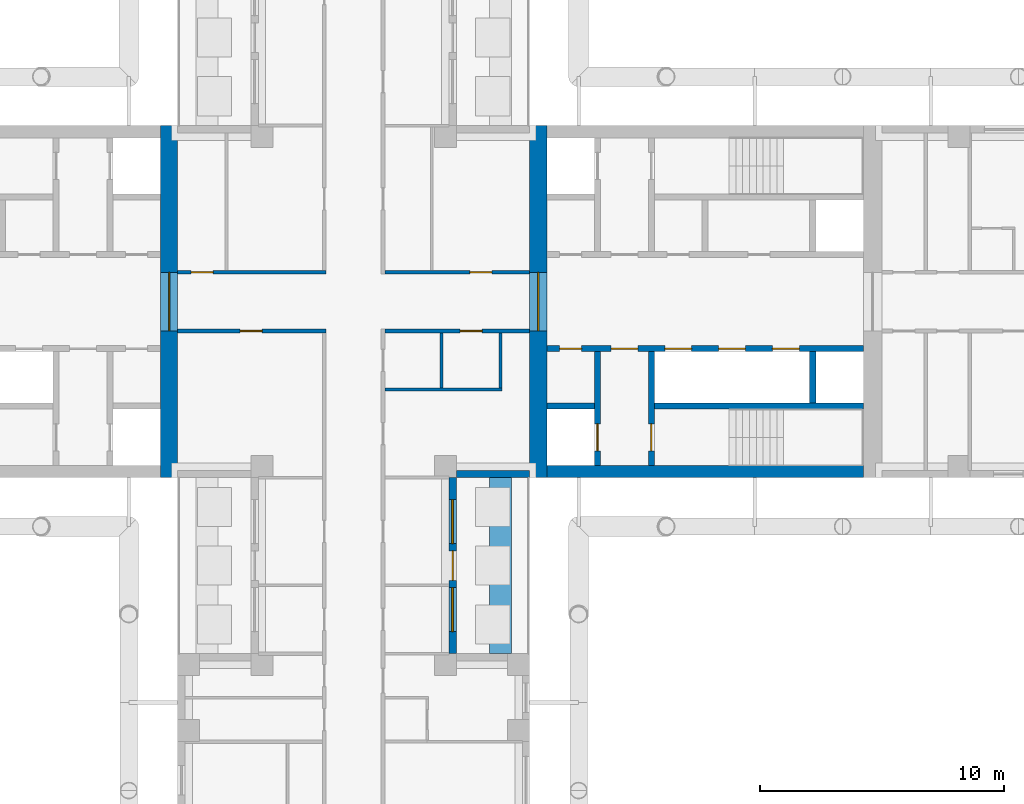
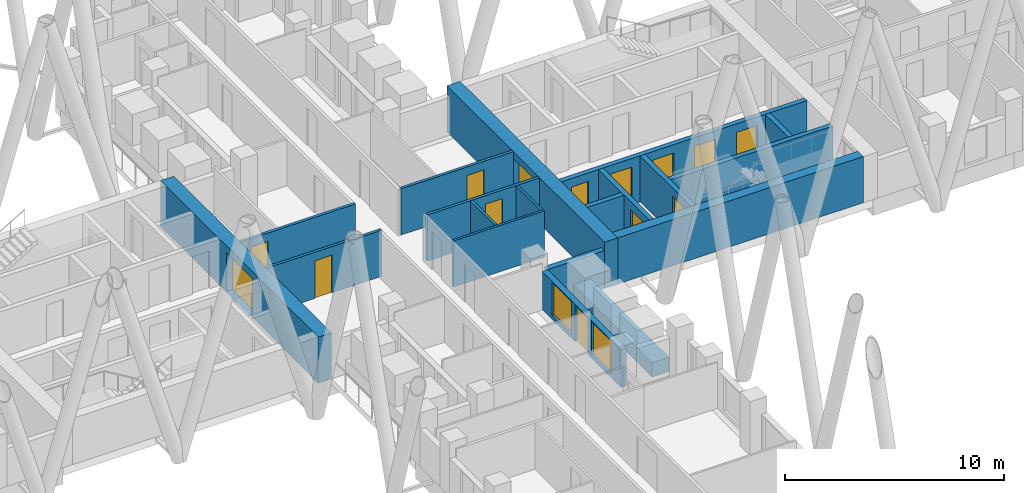
# One storey, part 7 of 14: 19 walls, 14 doors, 2 windows, 16 openings.
"""IFC4 building model written with IfcOpenShell, lengths in metres."""

from ifc_helpers import new_model, si_unit, direction, frame, frame_2d, origin, place, context, subcontext, project, spatial, rectangle, extrude, material, layer, layer_set, type_object, element, fill, save


model = new_model("IFC4")

# Units and contexts
model_context = context("Model", 3, precision=1e-05, world=origin(), true_north=direction((0.0, 1.0)))
body_context = subcontext(model_context, "Body", "Model", "MODEL_VIEW")
ifc_project = project(units=[si_unit("LENGTHUNIT", "METRE"), si_unit("AREAUNIT", "SQUARE_METRE"), si_unit("VOLUMEUNIT", "CUBIC_METRE"), si_unit("PLANEANGLEUNIT", "RADIAN"), si_unit("MASSUNIT", "GRAM", prefix="KILO")], contexts=[model_context])

# Site, building, storey
site_placement = place(None, origin())
site = spatial("IfcSite", under=ifc_project, at=site_placement, CompositionType="ELEMENT")
building_placement = place(site_placement, origin())
building = spatial("IfcBuilding", under=site, at=building_placement, Name="Fustian Cross Tower", CompositionType="ELEMENT")
storey_placement = place(building_placement, frame((0.0, 0.0, 78.89990234375)))
storey = spatial("IfcBuildingStorey", under=building, at=storey_placement, Name="L24", CompositionType="ELEMENT", Elevation=78.89990234375)

# Wall, opening, door
ifc_material_1 = material(Name="Plasterboard on steel stud", Category="steel")
ifc_layer_1 = layer(ifc_material_1, 0.14990234375)
ifc_layer_set_1 = layer_set([ifc_layer_1], Name="Plasterboard on steel stud")
wall_type_1 = type_object("IfcWallType", Name="COMPARTMENT WALL 150 EI 60", PredefinedType="PARTITIONING", material=ifc_layer_set_1)
wall_1_placement = place(storey_placement, frame((-7.199951171875, -1.199951171875, 0.0), z_axis=(0.0, 0.0, 1.0), x_axis=(1.0, 0.0, 0.0)))
wall_1 = element("IfcWall", 1, at=wall_1_placement, inside=storey, type_object=wall_type_1, Name="Partition 11", PredefinedType="PARTITIONING", context=body_context, shape_type="SweptSolid", body=[
    extrude(rectangle(XDim=6.074951171875, YDim=0.14990234375, at=frame_2d((3.03759765625, 0.0))), origin(), (0.0, 0.0, 1.0), 2.5751953125),
])
opening_1_placement = place(wall_1_placement, frame((2.550048828125, 0.0, 0.0)))
opening_1 = element("IfcOpeningElement", 2, at=opening_1_placement, cuts=wall_1, Name="Opening D12008", PredefinedType="OPENING", context=body_context, shape_type="SweptSolid", body=[
    extrude(rectangle(XDim=0.89990234375, YDim=2.10009765625, at=frame_2d((0.449951171875, 1.050048828125))), frame((0.0, 0.0849609375, 0.0), z_axis=(0.0, -1.0, 0.0), x_axis=(1.0, 0.0, 0.0)), (0.0, 0.0, 1.0), 0.169921875),
])
ifc_material_2 = material(Name="Timber fire door set", Category="wood")
door_type_1 = type_object("IfcDoorType", Name="FIRE SWING DOOR 900 FD30S", OperationType="SINGLE_SWING_LEFT", PredefinedType="DOOR", material=ifc_material_2)
door_1_placement = place(opening_1_placement, frame((0.89990234375, 0.0, 0.0), z_axis=(0.0, 0.0, 1.0), x_axis=(-1.0, 0.0, 0.0)))
door_1 = element("IfcDoor", 3, at=door_1_placement, inside=storey, type_object=door_type_1, Name="Door D12008", OperationType="SINGLE_SWING_RIGHT", OverallHeight=2.10009765625, OverallWidth=0.89990234375, PredefinedType="DOOR", context=body_context, shape_type="SweptSolid", body=[
    extrude(rectangle(XDim=0.89990234375, YDim=2.10009765625, at=frame_2d((0.449951171875, 1.050048828125))), frame((0.0, 0.02490234375, 0.0), z_axis=(0.0, -1.0, 0.0), x_axis=(1.0, 0.0, 0.0)), (0.0, 0.0, 1.0), 0.050048828125),
])
fill(opening_1, door_1)

wall_2_placement = place(storey_placement, frame((-7.199951171875, 1.199951171875, 0.0), z_axis=(0.0, 0.0, 1.0), x_axis=(1.0, 0.0, 0.0)))
wall_2 = element("IfcWall", 4, at=wall_2_placement, inside=storey, type_object=wall_type_1, Name="Partition 12", PredefinedType="PARTITIONING", context=body_context, shape_type="SweptSolid", body=[
    extrude(rectangle(XDim=6.074951171875, YDim=0.14990234375, at=frame_2d((3.03759765625, 0.0))), origin(), (0.0, 0.0, 1.0), 2.5751953125),
])
opening_2_placement = place(wall_2_placement, frame((0.550048828125, 0.0, 0.0)))
opening_2 = element("IfcOpeningElement", 5, at=opening_2_placement, cuts=wall_2, Name="Opening D12004", PredefinedType="OPENING", context=body_context, shape_type="SweptSolid", body=[
    extrude(rectangle(XDim=0.89990234375, YDim=2.10009765625, at=frame_2d((0.449951171875, 1.050048828125))), frame((0.0, 0.0849609375, 0.0), z_axis=(0.0, -1.0, 0.0), x_axis=(1.0, 0.0, 0.0)), (0.0, 0.0, 1.0), 0.169921875),
])
door_2_placement = place(opening_2_placement, origin())
door_2 = element("IfcDoor", 6, at=door_2_placement, inside=storey, type_object=door_type_1, Name="Door D12004", OperationType="SINGLE_SWING_LEFT", OverallHeight=2.10009765625, OverallWidth=0.89990234375, PredefinedType="DOOR", context=body_context, shape_type="SweptSolid", body=[
    extrude(rectangle(XDim=0.89990234375, YDim=2.10009765625, at=frame_2d((0.449951171875, 1.050048828125))), frame((0.0, 0.02490234375, 0.0), z_axis=(0.0, -1.0, 0.0), x_axis=(1.0, 0.0, 0.0)), (0.0, 0.0, 1.0), 0.050048828125),
])
fill(opening_2, door_2)

wall_3_placement = place(storey_placement, frame((1.27490234375, -1.199951171875, 0.0), z_axis=(0.0, 0.0, 1.0), x_axis=(1.0, 0.0, 0.0)))
wall_3 = element("IfcWall", 7, at=wall_3_placement, inside=storey, type_object=wall_type_1, Name="Partition 45", PredefinedType="PARTITIONING", context=body_context, shape_type="SweptSolid", body=[
    extrude(rectangle(XDim=5.925048828125, YDim=0.14990234375, at=frame_2d((2.96240234375, 0.0))), origin(), (0.0, 0.0, 1.0), 2.5751953125),
])
opening_3_placement = place(wall_3_placement, frame((3.074951171875, 0.0, 0.0)))
opening_3 = element("IfcOpeningElement", 8, at=opening_3_placement, cuts=wall_3, Name="Opening D12006", PredefinedType="OPENING", context=body_context, shape_type="SweptSolid", body=[
    extrude(rectangle(XDim=0.89990234375, YDim=2.10009765625, at=frame_2d((0.449951171875, 1.050048828125))), frame((0.0, 0.0849609375, 0.0), z_axis=(0.0, -1.0, 0.0), x_axis=(1.0, 0.0, 0.0)), (0.0, 0.0, 1.0), 0.169921875),
])
door_3_placement = place(opening_3_placement, frame((0.89990234375, 0.0, 0.0), z_axis=(0.0, 0.0, 1.0), x_axis=(-1.0, 0.0, 0.0)))
door_3 = element("IfcDoor", 9, at=door_3_placement, inside=storey, type_object=door_type_1, Name="Door D12006", OperationType="SINGLE_SWING_RIGHT", OverallHeight=2.10009765625, OverallWidth=0.89990234375, PredefinedType="DOOR", context=body_context, shape_type="SweptSolid", body=[
    extrude(rectangle(XDim=0.89990234375, YDim=2.10009765625, at=frame_2d((0.449951171875, 1.050048828125))), frame((0.0, 0.02490234375, 0.0), z_axis=(0.0, -1.0, 0.0), x_axis=(1.0, 0.0, 0.0)), (0.0, 0.0, 1.0), 0.050048828125),
])
fill(opening_3, door_3)

wall_4_placement = place(storey_placement, frame((1.27490234375, 1.199951171875, 0.0), z_axis=(0.0, 0.0, 1.0), x_axis=(1.0, 0.0, 0.0)))
wall_4 = element("IfcWall", 10, at=wall_4_placement, inside=storey, type_object=wall_type_1, Name="Partition 47", PredefinedType="PARTITIONING", context=body_context, shape_type="SweptSolid", body=[
    extrude(rectangle(XDim=5.925048828125, YDim=0.14990234375, at=frame_2d((2.96240234375, 0.0))), origin(), (0.0, 0.0, 1.0), 2.5751953125),
])
opening_4_placement = place(wall_4_placement, frame((3.47509765625, 0.0, 0.0)))
opening_4 = element("IfcOpeningElement", 11, at=opening_4_placement, cuts=wall_4, Name="Opening D12002", PredefinedType="OPENING", context=body_context, shape_type="SweptSolid", body=[
    extrude(rectangle(XDim=0.89990234375, YDim=2.10009765625, at=frame_2d((0.449951171875, 1.050048828125))), frame((0.0, 0.0849609375, 0.0), z_axis=(0.0, -1.0, 0.0), x_axis=(1.0, 0.0, 0.0)), (0.0, 0.0, 1.0), 0.169921875),
])
door_4_placement = place(opening_4_placement, origin())
door_4 = element("IfcDoor", 12, at=door_4_placement, inside=storey, type_object=door_type_1, Name="Door D12002", OperationType="SINGLE_SWING_LEFT", OverallHeight=2.10009765625, OverallWidth=0.89990234375, PredefinedType="DOOR", context=body_context, shape_type="SweptSolid", body=[
    extrude(rectangle(XDim=0.89990234375, YDim=2.10009765625, at=frame_2d((0.449951171875, 1.050048828125))), frame((0.0, 0.02490234375, 0.0), z_axis=(0.0, -1.0, 0.0), x_axis=(1.0, 0.0, 0.0)), (0.0, 0.0, 1.0), 0.050048828125),
])
fill(opening_4, door_4)

ifc_material_3 = material(Name="Concrete C70/85", Category="concrete")
ifc_layer_2 = layer(ifc_material_3, 0.699951171875)
ifc_layer_set_2 = layer_set([ifc_layer_2], Name="Concrete C70/85")
wall_type_2 = type_object("IfcWallType", Name="CORE END WALL 700 C70/85", PredefinedType="SHEAR", material=ifc_layer_set_2)
wall_5_placement = place(storey_placement, frame((7.550048828125, -7.199951171875, 0.0), z_axis=(0.0, 0.0, 1.0), x_axis=(0.0, 1.0, 0.0)))
wall_5 = element("IfcWall", 13, at=wall_5_placement, inside=storey, type_object=wall_type_2, Name="Core end wall", PredefinedType="SHEAR", context=body_context, shape_type="SweptSolid", body=[
    extrude(rectangle(XDim=14.39990234375, YDim=0.699951171875, at=frame_2d((7.199951171875, 0.0))), origin(), (0.0, 0.0, 1.0), 2.5751953125),
])
opening_5_placement = place(wall_5_placement, frame((6.0, 0.0, 0.0)))
opening_5 = element("IfcOpeningElement", 14, at=opening_5_placement, cuts=wall_5, Name="Opening CD-10-12", PredefinedType="OPENING", context=body_context, shape_type="SweptSolid", body=[
    extrude(rectangle(XDim=2.39990234375, YDim=2.199951171875, at=frame_2d((1.199951171875, 1.10009765625))), frame((0.0, 0.35986328125, 0.0), z_axis=(0.0, -1.0, 0.0), x_axis=(1.0, 0.0, 0.0)), (0.0, 0.0, 1.0), 0.719970703125),
])
ifc_material_4 = material(Name="Steel", Category="steel")
door_type_2 = type_object("IfcDoorType", Name="FIRE DOOR FD30S DOUBLE 2400X2200", OperationType="DOUBLE_DOOR_DOUBLE_SWING", PredefinedType="DOOR", material=ifc_material_4)
door_5_placement = place(opening_5_placement, frame((2.39990234375, 0.0, 0.0), z_axis=(0.0, 0.0, 1.0), x_axis=(-1.0, 0.0, 0.0)))
door_5 = element("IfcDoor", 15, at=door_5_placement, inside=storey, type_object=door_type_2, Name="Core door CD-10-12", OperationType="DOUBLE_DOOR_DOUBLE_SWING", OverallHeight=2.199951171875, OverallWidth=2.39990234375, PredefinedType="DOOR", context=body_context, shape_type="SweptSolid", body=[
    extrude(rectangle(XDim=2.39990234375, YDim=2.199951171875, at=frame_2d((1.199951171875, 1.10009765625))), frame((0.0, 0.02490234375, 0.0), z_axis=(0.0, -1.0, 0.0), x_axis=(1.0, 0.0, 0.0)), (0.0, 0.0, 1.0), 0.050048828125),
])
fill(opening_5, door_5)

wall_6_placement = place(storey_placement, frame((-7.550048828125, -7.199951171875, 0.0), z_axis=(0.0, 0.0, 1.0), x_axis=(0.0, 1.0, 0.0)))
wall_6 = element("IfcWall", 16, at=wall_6_placement, inside=storey, type_object=wall_type_2, Name="Core end wall", PredefinedType="SHEAR", context=body_context, shape_type="SweptSolid", body=[
    extrude(rectangle(XDim=14.39990234375, YDim=0.699951171875, at=frame_2d((7.199951171875, 0.0))), origin(), (0.0, 0.0, 1.0), 2.5751953125),
])
opening_6_placement = place(wall_6_placement, frame((6.0, 0.0, 0.0)))
opening_6 = element("IfcOpeningElement", 17, at=opening_6_placement, cuts=wall_6, Name="Opening CD-10-27", PredefinedType="OPENING", context=body_context, shape_type="SweptSolid", body=[
    extrude(rectangle(XDim=2.39990234375, YDim=2.199951171875, at=frame_2d((1.199951171875, 1.10009765625))), frame((0.0, 0.35986328125, 0.0), z_axis=(0.0, -1.0, 0.0), x_axis=(1.0, 0.0, 0.0)), (0.0, 0.0, 1.0), 0.719970703125),
])
door_6_placement = place(opening_6_placement, origin())
door_6 = element("IfcDoor", 18, at=door_6_placement, inside=storey, type_object=door_type_2, Name="Core door CD-10-27", OperationType="DOUBLE_DOOR_DOUBLE_SWING", OverallHeight=2.199951171875, OverallWidth=2.39990234375, PredefinedType="DOOR", context=body_context, shape_type="SweptSolid", body=[
    extrude(rectangle(XDim=2.39990234375, YDim=2.199951171875, at=frame_2d((1.199951171875, 1.10009765625))), frame((0.0, 0.02490234375, 0.0), z_axis=(0.0, -1.0, 0.0), x_axis=(1.0, 0.0, 0.0)), (0.0, 0.0, 1.0), 0.050048828125),
])
fill(opening_6, door_6)

# Wall
ifc_material_5 = material(Name="Concrete C70/85", Category="concrete")
ifc_layer_3 = layer(ifc_material_5, 0.5)
ifc_layer_set_3 = layer_set([ifc_layer_3], Name="Concrete C70/85")
wall_type_3 = type_object("IfcWallType", Name="CORE FACADE WALL 500 C70/85", PredefinedType="SHEAR", material=ifc_layer_set_3)
wall_7_placement = place(storey_placement, frame((7.89990234375, -6.949951171875, 0.0), z_axis=(0.0, 0.0, 1.0), x_axis=(1.0, 0.0, 0.0)))
element("IfcWall", 19, at=wall_7_placement, inside=storey, type_object=wall_type_3, Name="Core facade wall", PredefinedType="SHEAR", context=body_context, shape_type="SweptSolid", body=[
    extrude(rectangle(XDim=12.9501953125, YDim=0.5, at=frame_2d((6.47509765625, 0.0))), origin(), (0.0, 0.0, 1.0), 2.5751953125),
])

# Wall, openings, doors
ifc_material_6 = material(Name="Concrete C50/60", Category="concrete")
ifc_layer_4 = layer(ifc_material_6, 0.25)
ifc_layer_set_4 = layer_set([ifc_layer_4], Name="Concrete C50/60")
wall_type_4 = type_object("IfcWallType", Name="CORE LOBBY WALL 250 C50/60", PredefinedType="SHEAR", material=ifc_layer_set_4)
wall_8_placement = place(storey_placement, frame((7.89990234375, -1.925048828125, 0.0), z_axis=(0.0, 0.0, 1.0), x_axis=(1.0, 0.0, 0.0)))
wall_8 = element("IfcWall", 20, at=wall_8_placement, inside=storey, type_object=wall_type_4, Name="Core lobby wall", PredefinedType="SHEAR", context=body_context, shape_type="SweptSolid", body=[
    extrude(rectangle(XDim=12.9501953125, YDim=0.25, at=frame_2d((6.47509765625, 0.0))), origin(), (0.0, 0.0, 1.0), 2.5751953125),
])
opening_7_placement = place(wall_8_placement, frame((4.824951171875, 0.0, 0.0)))
opening_7 = element("IfcOpeningElement", 21, at=opening_7_placement, cuts=wall_8, Name="Opening LD", PredefinedType="OPENING", context=body_context, shape_type="SweptSolid", body=[
    extrude(rectangle(XDim=1.10009765625, YDim=2.10009765625, at=frame_2d((0.550048828125, 1.050048828125))), frame((0.0, 0.135009765625, 0.0), z_axis=(0.0, -1.0, 0.0), x_axis=(1.0, 0.0, 0.0)), (0.0, 0.0, 1.0), 0.27001953125),
])
opening_8_placement = place(wall_8_placement, frame((7.02490234375, 0.0, 0.0)))
opening_8 = element("IfcOpeningElement", 22, at=opening_8_placement, cuts=wall_8, Name="Opening LD", PredefinedType="OPENING", context=body_context, shape_type="SweptSolid", body=[
    extrude(rectangle(XDim=1.10009765625, YDim=2.10009765625, at=frame_2d((0.550048828125, 1.050048828125))), frame((0.0, 0.135009765625, 0.0), z_axis=(0.0, -1.0, 0.0), x_axis=(1.0, 0.0, 0.0)), (0.0, 0.0, 1.0), 0.27001953125),
])
opening_9_placement = place(wall_8_placement, frame((9.22509765625, 0.0, 0.0)))
opening_9 = element("IfcOpeningElement", 23, at=opening_9_placement, cuts=wall_8, Name="Opening LD", PredefinedType="OPENING", context=body_context, shape_type="SweptSolid", body=[
    extrude(rectangle(XDim=1.10009765625, YDim=2.10009765625, at=frame_2d((0.550048828125, 1.050048828125))), frame((0.0, 0.135009765625, 0.0), z_axis=(0.0, -1.0, 0.0), x_axis=(1.0, 0.0, 0.0)), (0.0, 0.0, 1.0), 0.27001953125),
])
opening_10_placement = place(wall_8_placement, frame((0.52490234375, 0.0, 0.0)))
opening_10 = element("IfcOpeningElement", 24, at=opening_10_placement, cuts=wall_8, Name="Opening CD-10-09", PredefinedType="OPENING", context=body_context, shape_type="SweptSolid", body=[
    extrude(rectangle(XDim=0.89990234375, YDim=2.10009765625, at=frame_2d((0.449951171875, 1.050048828125))), frame((0.0, 0.135009765625, 0.0), z_axis=(0.0, -1.0, 0.0), x_axis=(1.0, 0.0, 0.0)), (0.0, 0.0, 1.0), 0.27001953125),
])
opening_11_placement = place(wall_8_placement, frame((2.625, 0.0, 0.0)))
opening_11 = element("IfcOpeningElement", 25, at=opening_11_placement, cuts=wall_8, Name="Opening CD-10-11", PredefinedType="OPENING", context=body_context, shape_type="SweptSolid", body=[
    extrude(rectangle(XDim=1.10009765625, YDim=2.10009765625, at=frame_2d((0.550048828125, 1.050048828125))), frame((0.0, 0.135009765625, 0.0), z_axis=(0.0, -1.0, 0.0), x_axis=(1.0, 0.0, 0.0)), (0.0, 0.0, 1.0), 0.27001953125),
])
ifc_material_7 = material(Name="Steel", Category="steel")
door_type_3 = type_object("IfcDoorType", Name="FIRE DOOR FD30S 1100X2100", OperationType="SINGLE_SWING_LEFT", PredefinedType="DOOR", material=ifc_material_7)
door_7_placement = place(opening_11_placement, frame((1.10009765625, 0.0, 0.0), z_axis=(0.0, 0.0, 1.0), x_axis=(-1.0, 0.0, 0.0)))
door_7 = element("IfcDoor", 26, at=door_7_placement, inside=storey, type_object=door_type_3, Name="Core door CD-10-11", OperationType="SINGLE_SWING_RIGHT", OverallHeight=2.10009765625, OverallWidth=1.10009765625, PredefinedType="DOOR", context=body_context, shape_type="SweptSolid", body=[
    extrude(rectangle(XDim=1.10009765625, YDim=2.10009765625, at=frame_2d((0.550048828125, 1.050048828125))), frame((0.0, 0.02490234375, 0.0), z_axis=(0.0, -1.0, 0.0), x_axis=(1.0, 0.0, 0.0)), (0.0, 0.0, 1.0), 0.050048828125),
])
fill(opening_11, door_7)
ifc_material_8 = material(Name="Steel", Category="steel")
door_type_4 = type_object("IfcDoorType", Name="FIRE DOOR FD30S 900X2100", OperationType="SINGLE_SWING_LEFT", PredefinedType="DOOR", material=ifc_material_8)
door_8_placement = place(opening_10_placement, frame((0.89990234375, 0.0, 0.0), z_axis=(0.0, 0.0, 1.0), x_axis=(-1.0, 0.0, 0.0)))
door_8 = element("IfcDoor", 27, at=door_8_placement, inside=storey, type_object=door_type_4, Name="Core door CD-10-09", OperationType="SINGLE_SWING_RIGHT", OverallHeight=2.10009765625, OverallWidth=0.89990234375, PredefinedType="DOOR", context=body_context, shape_type="SweptSolid", body=[
    extrude(rectangle(XDim=0.89990234375, YDim=2.10009765625, at=frame_2d((0.449951171875, 1.050048828125))), frame((0.0, 0.02490234375, 0.0), z_axis=(0.0, -1.0, 0.0), x_axis=(1.0, 0.0, 0.0)), (0.0, 0.0, 1.0), 0.050048828125),
])
fill(opening_10, door_8)
ifc_material_9 = material(Name="Stainless steel", Category="steel")
door_type_5 = type_object("IfcDoorType", Name="LIFT LANDING DOOR 1100X2100", OperationType="SLIDING_TO_LEFT", PredefinedType="DOOR", material=ifc_material_9)
door_9_placement = place(opening_7_placement, origin())
door_9 = element("IfcDoor", 28, at=door_9_placement, inside=storey, type_object=door_type_5, Name="Landing door LR1", OperationType="SLIDING_TO_LEFT", OverallHeight=2.10009765625, OverallWidth=1.10009765625, PredefinedType="DOOR", context=body_context, shape_type="SweptSolid", body=[
    extrude(rectangle(XDim=1.10009765625, YDim=2.10009765625, at=frame_2d((0.550048828125, 1.050048828125))), frame((0.0, 0.02490234375, 0.0), z_axis=(0.0, -1.0, 0.0), x_axis=(1.0, 0.0, 0.0)), (0.0, 0.0, 1.0), 0.050048828125),
])
fill(opening_7, door_9)
door_10_placement = place(opening_8_placement, origin())
door_10 = element("IfcDoor", 29, at=door_10_placement, inside=storey, type_object=door_type_5, Name="Landing door LR2", OperationType="SLIDING_TO_LEFT", OverallHeight=2.10009765625, OverallWidth=1.10009765625, PredefinedType="DOOR", context=body_context, shape_type="SweptSolid", body=[
    extrude(rectangle(XDim=1.10009765625, YDim=2.10009765625, at=frame_2d((0.550048828125, 1.050048828125))), frame((0.0, 0.02490234375, 0.0), z_axis=(0.0, -1.0, 0.0), x_axis=(1.0, 0.0, 0.0)), (0.0, 0.0, 1.0), 0.050048828125),
])
fill(opening_8, door_10)
door_11_placement = place(opening_9_placement, origin())
door_11 = element("IfcDoor", 30, at=door_11_placement, inside=storey, type_object=door_type_5, Name="Landing door LR3", OperationType="SLIDING_TO_LEFT", OverallHeight=2.10009765625, OverallWidth=1.10009765625, PredefinedType="DOOR", context=body_context, shape_type="SweptSolid", body=[
    extrude(rectangle(XDim=1.10009765625, YDim=2.10009765625, at=frame_2d((0.550048828125, 1.050048828125))), frame((0.0, 0.02490234375, 0.0), z_axis=(0.0, -1.0, 0.0), x_axis=(1.0, 0.0, 0.0)), (0.0, 0.0, 1.0), 0.050048828125),
])
fill(opening_9, door_11)

# Walls
ifc_material_10 = material(Name="Concrete C50/60", Category="concrete")
ifc_layer_5 = layer(ifc_material_10, 0.25)
ifc_layer_set_5 = layer_set([ifc_layer_5], Name="Concrete C50/60")
wall_type_5 = type_object("IfcWallType", Name="CORE SHAFT WALL 250 C50/60", PredefinedType="SHEAR", material=ifc_layer_set_5)
wall_9_placement = place(storey_placement, frame((7.89990234375, -4.27490234375, 0.0), z_axis=(0.0, 0.0, 1.0), x_axis=(1.0, 0.0, 0.0)))
element("IfcWall", 31, at=wall_9_placement, inside=storey, type_object=wall_type_5, Name="Core shaft wall", PredefinedType="SHEAR", context=body_context, shape_type="SweptSolid", body=[
    extrude(rectangle(XDim=1.9501953125, YDim=0.25, at=frame_2d((0.97509765625, 0.0))), origin(), (0.0, 0.0, 1.0), 2.5751953125),
])
wall_10_placement = place(storey_placement, frame((12.300048828125, -4.27490234375, 0.0), z_axis=(0.0, 0.0, 1.0), x_axis=(1.0, 0.0, 0.0)))
element("IfcWall", 32, at=wall_10_placement, inside=storey, type_object=wall_type_5, Name="Core shaft wall", PredefinedType="SHEAR", context=body_context, shape_type="SweptSolid", body=[
    extrude(rectangle(XDim=8.550048828125, YDim=0.25, at=frame_2d((4.27490234375, 0.0))), origin(), (0.0, 0.0, 1.0), 2.5751953125),
])

# Wall, opening, door
wall_11_placement = place(storey_placement, frame((9.97509765625, -2.050048828125, 0.0), z_axis=(0.0, 0.0, 1.0), x_axis=(0.0, -1.0, 0.0)))
wall_11 = element("IfcWall", 33, at=wall_11_placement, inside=storey, type_object=wall_type_5, Name="Core shaft wall", PredefinedType="SHEAR", context=body_context, shape_type="SweptSolid", body=[
    extrude(rectangle(XDim=4.64990234375, YDim=0.25, at=frame_2d((2.324951171875, 0.0))), origin(), (0.0, 0.0, 1.0), 2.5751953125),
])
opening_12_placement = place(wall_11_placement, frame((2.949951171875, 0.0, 0.0)))
opening_12 = element("IfcOpeningElement", 34, at=opening_12_placement, cuts=wall_11, Name="Opening LD", PredefinedType="OPENING", context=body_context, shape_type="SweptSolid", body=[
    extrude(rectangle(XDim=1.10009765625, YDim=2.10009765625, at=frame_2d((0.550048828125, 1.050048828125))), frame((0.0, 0.135009765625, 0.0), z_axis=(0.0, -1.0, 0.0), x_axis=(1.0, 0.0, 0.0)), (0.0, 0.0, 1.0), 0.27001953125),
])
door_12_placement = place(opening_12_placement, origin())
door_12 = element("IfcDoor", 35, at=door_12_placement, inside=storey, type_object=door_type_5, Name="Landing door SV1", OperationType="SLIDING_TO_LEFT", OverallHeight=2.10009765625, OverallWidth=1.10009765625, PredefinedType="DOOR", context=body_context, shape_type="SweptSolid", body=[
    extrude(rectangle(XDim=1.10009765625, YDim=2.10009765625, at=frame_2d((0.550048828125, 1.050048828125))), frame((0.0, 0.02490234375, 0.0), z_axis=(0.0, -1.0, 0.0), x_axis=(1.0, 0.0, 0.0)), (0.0, 0.0, 1.0), 0.050048828125),
])
fill(opening_12, door_12)

wall_12_placement = place(storey_placement, frame((12.175048828125, -2.050048828125, 0.0), z_axis=(0.0, 0.0, 1.0), x_axis=(0.0, -1.0, 0.0)))
wall_12 = element("IfcWall", 36, at=wall_12_placement, inside=storey, type_object=wall_type_5, Name="Core shaft wall", PredefinedType="SHEAR", context=body_context, shape_type="SweptSolid", body=[
    extrude(rectangle(XDim=4.64990234375, YDim=0.25, at=frame_2d((2.324951171875, 0.0))), origin(), (0.0, 0.0, 1.0), 2.5751953125),
])
opening_13_placement = place(wall_12_placement, frame((2.949951171875, 0.0, 0.0)))
opening_13 = element("IfcOpeningElement", 37, at=opening_13_placement, cuts=wall_12, Name="Opening CD-10-07", PredefinedType="OPENING", context=body_context, shape_type="SweptSolid", body=[
    extrude(rectangle(XDim=1.10009765625, YDim=2.10009765625, at=frame_2d((0.550048828125, 1.050048828125))), frame((0.0, 0.135009765625, 0.0), z_axis=(0.0, -1.0, 0.0), x_axis=(1.0, 0.0, 0.0)), (0.0, 0.0, 1.0), 0.27001953125),
])
ifc_material_11 = material(Name="Steel", Category="steel")
door_type_6 = type_object("IfcDoorType", Name="FIRE DOOR FD60S 1100X2100", OperationType="SINGLE_SWING_LEFT", PredefinedType="DOOR", material=ifc_material_11)
door_13_placement = place(opening_13_placement, origin())
door_13 = element("IfcDoor", 38, at=door_13_placement, inside=storey, type_object=door_type_6, Name="Core door CD-10-07", OperationType="SINGLE_SWING_LEFT", OverallHeight=2.10009765625, OverallWidth=1.10009765625, PredefinedType="DOOR", context=body_context, shape_type="SweptSolid", body=[
    extrude(rectangle(XDim=1.10009765625, YDim=2.10009765625, at=frame_2d((0.550048828125, 1.050048828125))), frame((0.0, 0.02490234375, 0.0), z_axis=(0.0, -1.0, 0.0), x_axis=(1.0, 0.0, 0.0)), (0.0, 0.0, 1.0), 0.050048828125),
])
fill(opening_13, door_13)

# Walls
ifc_material_12 = material(Name="Concrete C40/50", Category="concrete")
ifc_layer_6 = layer(ifc_material_12, 0.89990234375)
ifc_layer_set_6 = layer_set([ifc_layer_6], Name="Concrete C40/50")
wall_type_6 = type_object("IfcWallType", Name="PK1 PLANTER 900", PredefinedType="PARAPET", material=ifc_layer_set_6)
wall_13_placement = place(storey_placement, frame((6.0, -14.39990234375, 0.0), z_axis=(0.0, 0.0, 1.0), x_axis=(0.0, 1.0, 0.0)))
element("IfcWall", 39, at=wall_13_placement, inside=storey, type_object=wall_type_6, Name="PLANTER", PredefinedType="PARAPET", context=body_context, shape_type="SweptSolid", body=[
    extrude(rectangle(XDim=7.199951171875, YDim=0.89990234375, at=frame_2d((3.60009765625, 0.0))), origin(), (0.0, 0.0, 1.0), 0.800048828125),
])
ifc_material_13 = material(Name="Concrete C40/50", Category="concrete")
ifc_layer_7 = layer(ifc_material_13, 0.25)
ifc_layer_set_7 = layer_set([ifc_layer_7], Name="Concrete C40/50")
wall_type_7 = type_object("IfcWallType", Name="SHAFT PARTITION WALL 250 C40/50", PredefinedType="PARTITIONING", material=ifc_layer_set_7)
wall_14_placement = place(storey_placement, frame((18.77490234375, -2.050048828125, 0.0), z_axis=(0.0, 0.0, 1.0), x_axis=(0.0, -1.0, 0.0)))
element("IfcWall", 40, at=wall_14_placement, inside=storey, type_object=wall_type_7, Name="Core shaft wall", PredefinedType="PARTITIONING", context=body_context, shape_type="SweptSolid", body=[
    extrude(rectangle(XDim=2.099853515625, YDim=0.25, at=frame_2d((1.0498046875, 0.0))), origin(), (0.0, 0.0, 1.0), 2.5751953125),
])
ifc_material_14 = material(Name="Plasterboard on steel stud", Category="steel")
ifc_layer_8 = layer(ifc_material_14, 0.125)
ifc_layer_set_8 = layer_set([ifc_layer_8], Name="Plasterboard on steel stud")
wall_type_8 = type_object("IfcWallType", Name="WET WALL 125 STUD", PredefinedType="PARTITIONING", material=ifc_layer_set_8)
wall_15_placement = place(storey_placement, frame((1.27490234375, -3.60009765625, 0.0), z_axis=(0.0, 0.0, 1.0), x_axis=(1.0, 0.0, 0.0)))
element("IfcWall", 41, at=wall_15_placement, inside=storey, type_object=wall_type_8, Name="Partition 44", PredefinedType="PARTITIONING", context=body_context, shape_type="SweptSolid", body=[
    extrude(rectangle(XDim=4.78759765625, YDim=0.125, at=frame_2d((2.393798828125, 0.0))), origin(), (0.0, 0.0, 1.0), 2.5751953125),
])
for number, where, z_axis, x_axis, name in (
    (42, (3.60009765625, -3.53759765625, 0.0), (0.0, 0.0, 1.0), (0.0, 1.0, 0.0), "Partition 53"),
    (43, (6.0, -3.53759765625, 0.0), (0.0, 0.0, 1.0), (0.0, 1.0, 0.0), "Partition 54"),
):
    element("IfcWall", number, at=place(storey_placement, frame(where, z_axis=z_axis, x_axis=x_axis)), inside=storey, type_object=wall_type_8, Name=name, PredefinedType="PARTITIONING", context=body_context, shape_type="SweptSolid", body=[
        extrude(rectangle(XDim=2.2626953125, YDim=0.125, at=frame_2d((1.13134765625, 0.0))), origin(), (0.0, 0.0, 1.0), 2.5751953125),
    ])

# Wall, openings, door, windows
ifc_material_15 = material(Name="Dark aluminium cladding on insulated backing wall", Category="aluminium")
ifc_layer_9 = layer(ifc_material_15, 0.300048828125)
ifc_layer_set_9 = layer_set([ifc_layer_9], Name="Dark aluminium cladding on insulated backing wall")
wall_type_9 = type_object("IfcWallType", Name="XW1 EXTERNAL WALL 300", PredefinedType="SOLIDWALL", material=ifc_layer_set_9)
wall_16_placement = place(storey_placement, frame((4.050048828125, -14.39990234375, 0.0), z_axis=(0.0, 0.0, 1.0), x_axis=(0.0, 1.0, 0.0)))
wall_16 = element("IfcWall", 44, at=wall_16_placement, inside=storey, type_object=wall_type_9, Name="External wall", PredefinedType="SOLIDWALL", context=body_context, shape_type="SweptSolid", body=[
    extrude(rectangle(XDim=7.199951171875, YDim=0.300048828125, at=frame_2d((3.60009765625, 0.0))), origin(), (0.0, 0.0, 1.0), 2.10009765625),
])
opening_14_placement = place(wall_16_placement, frame((3.0, 0.0, 0.0)))
opening_14 = element("IfcOpeningElement", 45, at=opening_14_placement, cuts=wall_16, Name="Opening XD3", PredefinedType="OPENING", context=body_context, shape_type="SweptSolid", body=[
    extrude(rectangle(XDim=1.199951171875, YDim=2.050048828125, at=frame_2d((0.60009765625, 1.02490234375))), frame((0.0, 0.159912109375, 0.0), z_axis=(0.0, -1.0, 0.0), x_axis=(1.0, 0.0, 0.0)), (0.0, 0.0, 1.0), 0.320068359375),
])
opening_15_placement = place(wall_16_placement, frame((0.89990234375, 0.0, 0.199951171875)))
opening_15 = element("IfcOpeningElement", 46, at=opening_15_placement, cuts=wall_16, Name="Opening WN2", PredefinedType="OPENING", context=body_context, shape_type="SweptSolid", body=[
    extrude(rectangle(XDim=1.800048828125, YDim=1.85009765625, at=frame_2d((0.89990234375, 0.925048828125))), frame((0.0, 0.159912109375, 0.0), z_axis=(0.0, -1.0, 0.0), x_axis=(1.0, 0.0, 0.0)), (0.0, 0.0, 1.0), 0.320068359375),
])
opening_16_placement = place(wall_16_placement, frame((4.5, 0.0, 0.199951171875)))
opening_16 = element("IfcOpeningElement", 47, at=opening_16_placement, cuts=wall_16, Name="Opening WN2", PredefinedType="OPENING", context=body_context, shape_type="SweptSolid", body=[
    extrude(rectangle(XDim=1.800048828125, YDim=1.85009765625, at=frame_2d((0.89990234375, 0.925048828125))), frame((0.0, 0.159912109375, 0.0), z_axis=(0.0, -1.0, 0.0), x_axis=(1.0, 0.0, 0.0)), (0.0, 0.0, 1.0), 0.320068359375),
])
ifc_material_16 = material(Name="Dark anodised aluminium and double glazing", Category="aluminium")
door_type_7 = type_object("IfcDoorType", Name="ED1 BALCONY DOOR 1200X2050", OperationType="SINGLE_SWING_LEFT", PredefinedType="DOOR", material=ifc_material_16)
door_14_placement = place(opening_14_placement, origin())
door_14 = element("IfcDoor", 48, at=door_14_placement, inside=storey, type_object=door_type_7, Name="Balcony door", OperationType="SINGLE_SWING_LEFT", OverallHeight=2.050048828125, OverallWidth=1.199951171875, PredefinedType="DOOR", context=body_context, shape_type="SweptSolid", body=[
    extrude(rectangle(XDim=1.199951171875, YDim=2.050048828125, at=frame_2d((0.60009765625, 1.02490234375))), frame((0.0, 0.02490234375, 0.0), z_axis=(0.0, -1.0, 0.0), x_axis=(1.0, 0.0, 0.0)), (0.0, 0.0, 1.0), 0.050048828125),
])
fill(opening_14, door_14)
ifc_material_17 = material(Name="Dark anodised aluminium and double glazing", Category="aluminium")
window_type = type_object("IfcWindowType", Name="WN2 WINDOW 1800X1850", PartitioningType="SINGLE_PANEL", PredefinedType="WINDOW", material=ifc_material_17)
window_1_placement = place(opening_15_placement, origin())
window_1 = element("IfcWindow", 49, at=window_1_placement, inside=storey, type_object=window_type, Name="Window", OverallHeight=1.85009765625, OverallWidth=1.800048828125, PartitioningType="SINGLE_PANEL", PredefinedType="WINDOW", context=body_context, shape_type="SweptSolid", body=[
    extrude(rectangle(XDim=1.800048828125, YDim=1.85009765625, at=frame_2d((0.89990234375, 0.925048828125))), frame((0.0, 0.030029296875, 0.0), z_axis=(0.0, -1.0, 0.0), x_axis=(1.0, 0.0, 0.0)), (0.0, 0.0, 1.0), 0.06005859375),
])
fill(opening_15, window_1)
window_2_placement = place(opening_16_placement, origin())
window_2 = element("IfcWindow", 50, at=window_2_placement, inside=storey, type_object=window_type, Name="Window", OverallHeight=1.85009765625, OverallWidth=1.800048828125, PartitioningType="SINGLE_PANEL", PredefinedType="WINDOW", context=body_context, shape_type="SweptSolid", body=[
    extrude(rectangle(XDim=1.800048828125, YDim=1.85009765625, at=frame_2d((0.89990234375, 0.925048828125))), frame((0.0, 0.030029296875, 0.0), z_axis=(0.0, -1.0, 0.0), x_axis=(1.0, 0.0, 0.0)), (0.0, 0.0, 1.0), 0.06005859375),
])
fill(opening_16, window_2)

# Wall
wall_17_placement = place(storey_placement, frame((4.199951171875, -7.050048828125, 0.0), z_axis=(0.0, 0.0, 1.0), x_axis=(1.0, 0.0, 0.0)))
element("IfcWall", 51, at=wall_17_placement, inside=storey, type_object=wall_type_9, Name="External wall", PredefinedType="SOLIDWALL", context=body_context, shape_type="SweptSolid", body=[
    extrude(rectangle(XDim=3.0, YDim=0.300048828125, at=frame_2d((1.5, 0.0))), origin(), (0.0, 0.0, 1.0), 2.10009765625),
])

save(model, "model.ifc")
